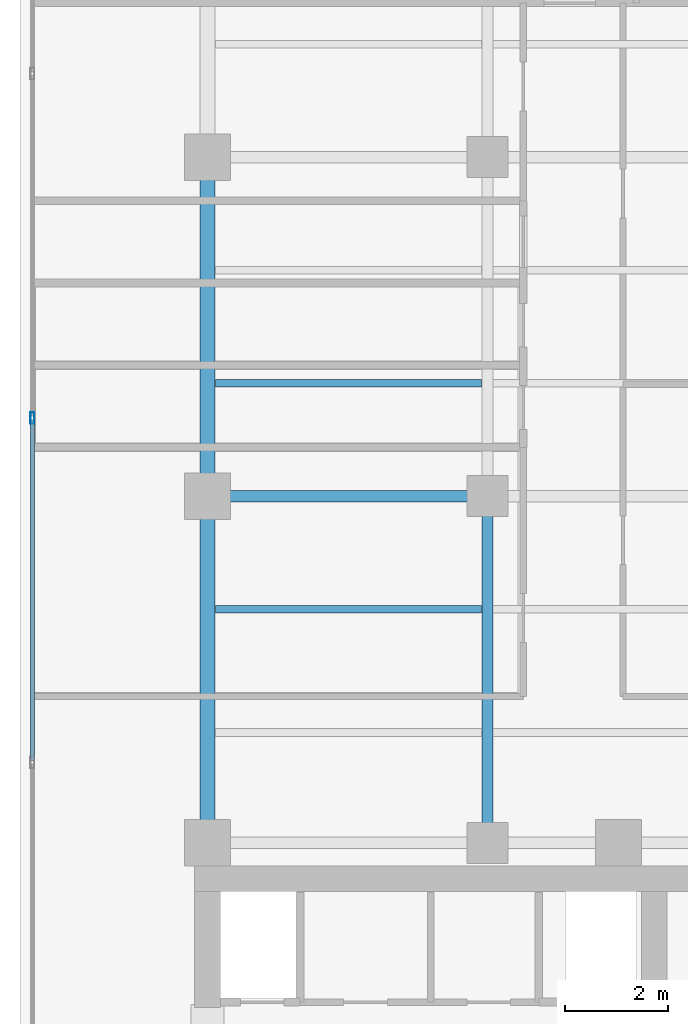
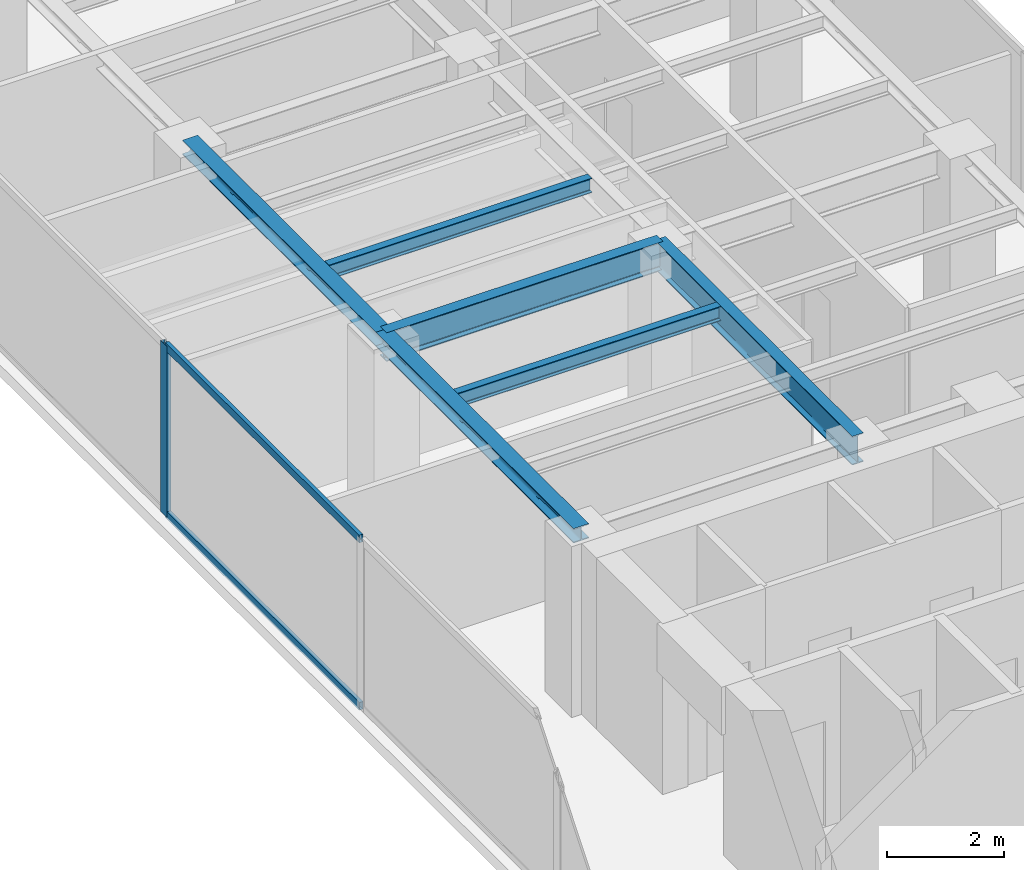
# One storey, part 8 of 24: 6 beams, 3 members, 1 element without a shape of its own.
"""IFC4 building model written with IfcOpenShell, lengths in metres."""

from ifc_helpers import new_model, si_unit, direction, frame, origin, origin_with_axes, origin_2d, place, context, subcontext, project, spatial, hollow_rectangle, i_section, extrude, source, transform, mapped, material, layer, layer_set, material_profile, profile_set, type_object, element, aggregate, save


model = new_model("IFC4")

# Units and contexts
model_context = context("Model", 3, precision=1e-05, world=origin(), true_north=direction((0.0, 1.0)))
body_context = subcontext(model_context, "Body", "Model", "MODEL_VIEW")
ifc_project = project(units=[si_unit("LENGTHUNIT", "METRE"), si_unit("AREAUNIT", "SQUARE_METRE"), si_unit("VOLUMEUNIT", "CUBIC_METRE"), si_unit("PLANEANGLEUNIT", "RADIAN"), si_unit("MASSUNIT", "GRAM", prefix="KILO")], contexts=[model_context])

# Site, building, storey
site_placement = place(None, origin())
site = spatial("IfcSite", under=ifc_project, at=site_placement, CompositionType="ELEMENT")
building_placement = place(site_placement, origin())
building = spatial("IfcBuilding", under=site, at=building_placement, Name="Kolvaren Waterfront Exchange", CompositionType="ELEMENT")
storey_placement = place(building_placement, frame((0.0, 0.0, 300.800048828125)))
storey = spatial("IfcBuildingStorey", under=building, at=storey_placement, Name="L77", CompositionType="ELEMENT", Elevation=300.800048828125)

# Beams
ifc_material_1 = material(Name="Steel S355", Category="steel")
ifc_material_profile_1 = material_profile(ifc_material_1, i_section(OverallWidth=0.300048828125, OverallDepth=0.300048828125, WebThickness=0.010986328125, FlangeThickness=0.01904296875, FilletRadius=0.027099609375, at=origin_2d()), Name="HEB300")
ifc_profile_set_1 = profile_set([ifc_material_profile_1], Name="Steel S355")
beam_type_1 = type_object("IfcBeamType", Name="STR-BM-HEB300", PredefinedType="SPANDREL", material=ifc_profile_set_1)
beam_1_placement = place(storey_placement, frame((7.449951171875, 24.449951171875, 3.409912109375), z_axis=(0.0, 1.0, 0.0), x_axis=(-1.0, 0.0, 0.0)))
element("IfcBeam", 1, at=beam_1_placement, inside=storey, type_object=beam_type_1, Name="L77 north-arm edge beam 1", PredefinedType="SPANDREL", context=body_context, shape_type="SweptSolid", body=[
    extrude(i_section(OverallWidth=0.300048828125, OverallDepth=0.300048828125, WebThickness=0.010986328125, FlangeThickness=0.01904296875, FilletRadius=0.027099609375, at=origin_2d()), origin(), (0.0, 0.0, 1.0), 6.75),
])
beam_2_placement = place(storey_placement, frame((7.449951171875, 31.199951171875, 3.409912109375), z_axis=(0.0, 1.0, 0.0), x_axis=(-1.0, 0.0, 0.0)))
element("IfcBeam", 2, at=beam_2_placement, inside=storey, type_object=beam_type_1, Name="L77 north-arm edge beam 2", PredefinedType="SPANDREL", context=body_context, shape_type="SweptSolid", body=[
    extrude(i_section(OverallWidth=0.300048828125, OverallDepth=0.300048828125, WebThickness=0.010986328125, FlangeThickness=0.01904296875, FilletRadius=0.027099609375, at=origin_2d()), origin(), (0.0, 0.0, 1.0), 6.60009765625),
])
ifc_material_profile_2 = material_profile(ifc_material_1, i_section(OverallWidth=0.14990234375, OverallDepth=0.300048828125, WebThickness=0.007080078125, FlangeThickness=0.0107421875, FilletRadius=0.014892578125, at=origin_2d()), Name="IPE300")
ifc_profile_set_2 = profile_set([ifc_material_profile_2], Name="Steel S355")
beam_type_2 = type_object("IfcBeamType", Name="STR-BM-IPE300", PredefinedType="JOIST", material=ifc_profile_set_2)
for number, where, z_axis, x_axis, name in (
    (3, (7.60205078125, 29.0, 3.409912109375), (1.0, 0.0, 0.0), (0.0, 1.0, 0.0), "L77 north-arm composite joist 2A"),
    (4, (7.60205078125, 33.39990234375, 3.409912109375), (1.0, 0.0, 0.0), (0.0, 1.0, 0.0), "L77 north-arm composite joist 3A"),
):
    element("IfcBeam", number, at=place(storey_placement, frame(where, z_axis=z_axis, x_axis=x_axis)), inside=storey, type_object=beam_type_2, Name=name, PredefinedType="JOIST", context=body_context, shape_type="SweptSolid", body=[
        extrude(i_section(OverallWidth=0.14990234375, OverallDepth=0.300048828125, WebThickness=0.007080078125, FlangeThickness=0.0107421875, FilletRadius=0.014892578125, at=origin_2d()), origin(), (0.0, 0.0, 1.0), 5.18603515625),
    ])
ifc_material_profile_3 = material_profile(ifc_material_1, i_section(OverallWidth=0.219970703125, OverallDepth=0.60009765625, WebThickness=0.011962890625, FlangeThickness=0.01904296875, FilletRadius=0.02392578125, at=origin_2d()), Name="IPE600")
ifc_profile_set_3 = profile_set([ifc_material_profile_3], Name="Steel S355")
beam_type_3 = type_object("IfcBeamType", Name="STR-BM-IPE600", PredefinedType="BEAM", material=ifc_profile_set_3)
beam_3_placement = place(storey_placement, frame((7.449951171875, 31.199951171875, 3.260009765625), z_axis=(1.0, 0.0, 0.0), x_axis=(0.0, 1.0, 0.0)))
element("IfcBeam", 5, at=beam_3_placement, inside=storey, type_object=beam_type_3, Name="L77 north-arm girder 2A", PredefinedType="BEAM", context=body_context, shape_type="SweptSolid", body=[
    extrude(i_section(OverallWidth=0.219970703125, OverallDepth=0.60009765625, WebThickness=0.011962890625, FlangeThickness=0.01904296875, FilletRadius=0.02392578125, at=origin_2d()), origin(), (0.0, 0.0, 1.0), 5.449951171875),
])
beam_4_placement = place(storey_placement, frame((12.89990234375, 24.449951171875, 3.260009765625), z_axis=(0.0, 1.0, 0.0), x_axis=(-1.0, 0.0, 0.0)))
element("IfcBeam", 6, at=beam_4_placement, inside=storey, type_object=beam_type_3, Name="L77 north-arm edge beam 1", PredefinedType="BEAM", context=body_context, shape_type="SweptSolid", body=[
    extrude(i_section(OverallWidth=0.219970703125, OverallDepth=0.60009765625, WebThickness=0.011962890625, FlangeThickness=0.01904296875, FilletRadius=0.02392578125, at=origin_2d()), origin(), (0.0, 0.0, 1.0), 6.75),
])

# Curtain wall, members
ifc_material_2 = material(Name="Anodised aluminium 6063-T6", Category="aluminium")
ifc_layer = layer(ifc_material_2, 0.219970703125, Name="Anodised aluminium 6063-T6")
ifc_layer_set = layer_set([ifc_layer], Name="Anodised aluminium 6063-T6")
curtain_wall_type = type_object("IfcCurtainWallType", Name="ARC-CW-SYS2", PredefinedType="USERDEFINED", material=ifc_layer_set)
curtain_wall_placement = place(storey_placement, origin())
curtain_wall = element("IfcCurtainWall", 7, at=curtain_wall_placement, inside=storey, type_object=curtain_wall_type, Name="L77 stick curtain wall CW2 (CW-L77-W)", ObjectType="STICK CURTAIN WALL", PredefinedType="USERDEFINED")
ifc_material_profile_4 = material_profile(ifc_material_2, hollow_rectangle(XDim=0.080078125, YDim=0.219970703125, WallThickness=0.0048828125, at=origin_2d()), Name="ALU-MUL-220x80x5")
ifc_profile_set_4 = profile_set([ifc_material_profile_4], Name="Anodised aluminium 6063-T6")
member_type_1 = type_object("IfcMemberType", Name="ARC-CWM-220", PredefinedType="MULLION", material=ifc_profile_set_4)
shared_shape_1 = source(origin_with_axes(), body_context, "Body", "SweptSolid", [
    extrude(hollow_rectangle(XDim=0.080078125, YDim=0.219970703125, WallThickness=0.0048828125, at=origin_2d()), origin(), (0.0, 0.0, 1.0), 3.56005859375),
])
member_1_placement = place(storey_placement, frame((4.0400390625, 32.720947265625, 0.0), z_axis=(0.0, 0.0, 1.0), x_axis=(-1.0, 0.0, 0.0)))
member_1 = element("IfcMember", 8, at=member_1_placement, type_object=member_type_1, Name="CW2 mullion 5", PredefinedType="MULLION", context=body_context, shape_type="MappedRepresentation", body=[
    mapped(shared_shape_1, transform((0.0, 0.0, 0.0), x_axis=(1.0, 0.0, 0.0), y_axis=(0.0, 1.0, 0.0), z_axis=(0.0, 0.0, 1.0), scale=1.0)),
])
ifc_material_profile_5 = material_profile(ifc_material_2, hollow_rectangle(XDim=0.074951171875, YDim=0.159912109375, WallThickness=0.00439453125, at=origin_2d()), Name="ALU-TRN-160x75x4.5")
ifc_profile_set_5 = profile_set([ifc_material_profile_5], Name="Anodised aluminium 6063-T6")
member_type_2 = type_object("IfcMemberType", Name="ARC-CWT-160", PredefinedType="USERDEFINED", material=ifc_profile_set_5)
shared_shape_2 = source(origin_with_axes(), body_context, "Body", "SweptSolid", [
    extrude(hollow_rectangle(XDim=0.074951171875, YDim=0.159912109375, WallThickness=0.00439453125, at=origin_2d()), origin(), (0.0, 0.0, 1.0), 6.625244140625),
])
member_2_placement = place(storey_placement, frame((4.0400390625, 26.055908203125, 0.037353515625), z_axis=(0.0, 1.0, 0.0), x_axis=(-1.0, 0.0, 0.0)))
member_2 = element("IfcMember", 9, at=member_2_placement, type_object=member_type_2, Name="CW2 transom 4.1", ObjectType="TRANSOM", PredefinedType="USERDEFINED", context=body_context, shape_type="MappedRepresentation", body=[
    mapped(shared_shape_2, transform((0.0, 0.0, 0.0), x_axis=(1.0, 0.0, 0.0), y_axis=(0.0, 1.0, 0.0), z_axis=(0.0, 0.0, 1.0), scale=1.0)),
])
member_3_placement = place(storey_placement, frame((4.0400390625, 26.055908203125, 3.5224609375), z_axis=(0.0, 1.0, 0.0), x_axis=(-1.0, 0.0, 0.0)))
member_3 = element("IfcMember", 10, at=member_3_placement, type_object=member_type_2, Name="CW2 transom 4.2", ObjectType="TRANSOM", PredefinedType="USERDEFINED", context=body_context, shape_type="MappedRepresentation", body=[
    mapped(shared_shape_2, transform((0.0, 0.0, 0.0), x_axis=(1.0, 0.0, 0.0), y_axis=(0.0, 1.0, 0.0), z_axis=(0.0, 0.0, 1.0), scale=1.0)),
])
aggregate(curtain_wall, [member_1, member_2, member_3])

save(model, "model.ifc")
